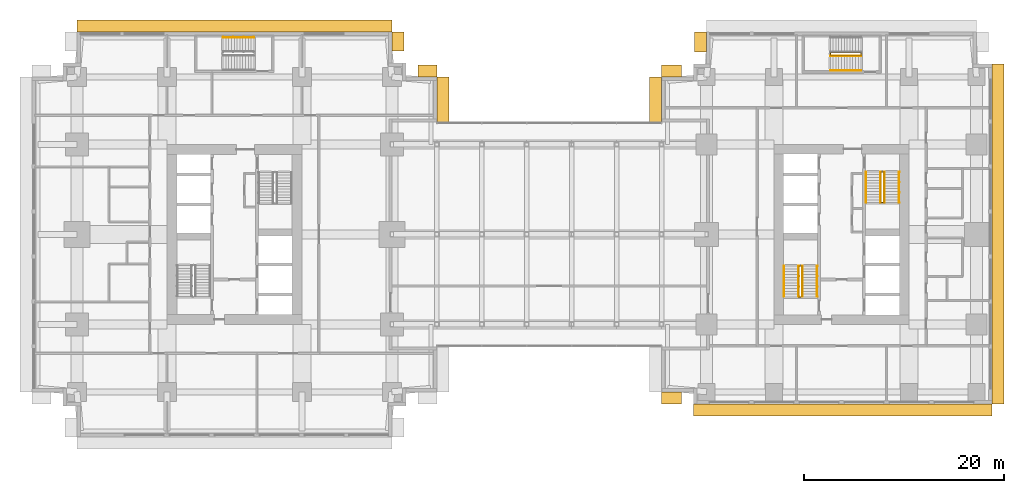
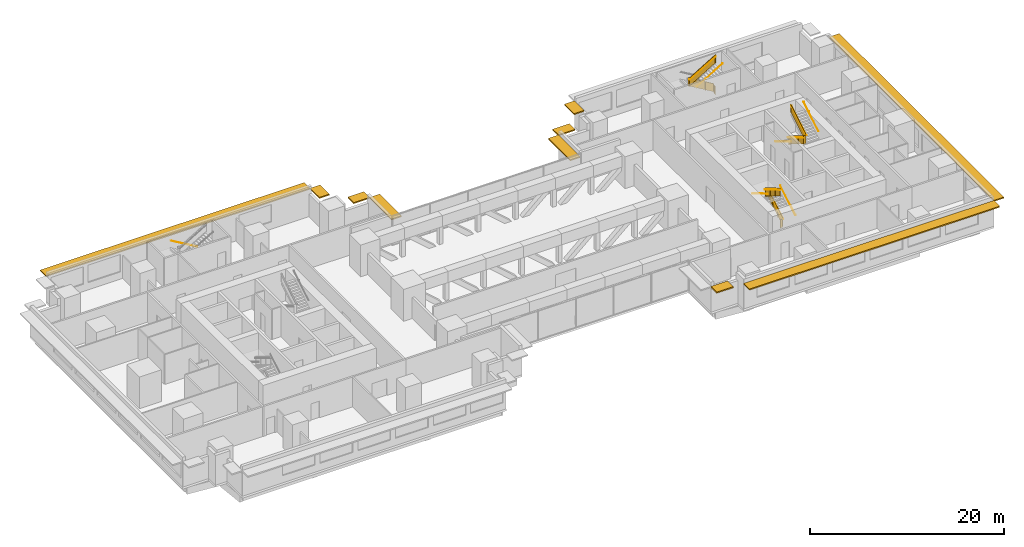
# One storey, part 14 of 15: 14 railings, 10 shading devices.
"""IFC4 building model written with IfcOpenShell, lengths in metres."""

from ifc_helpers import new_model, si_unit, direction, frame, origin, origin_2d, place, context, subcontext, project, spatial, polyline, rectangle, circle, outline, extrude, material, layer, layer_set, type_object, element, save


model = new_model("IFC4")

# Units and contexts
model_context = context("Model", 3, precision=1e-05, world=origin(), true_north=direction((0.0, 1.0)))
body_context = subcontext(model_context, "Body", "Model", "MODEL_VIEW")
ifc_project = project(units=[si_unit("LENGTHUNIT", "METRE"), si_unit("AREAUNIT", "SQUARE_METRE"), si_unit("VOLUMEUNIT", "CUBIC_METRE"), si_unit("PLANEANGLEUNIT", "RADIAN"), si_unit("MASSUNIT", "GRAM", prefix="KILO")], contexts=[model_context])

# Site, building, storey
site_placement = place(None, origin())
site = spatial("IfcSite", under=ifc_project, at=site_placement, CompositionType="ELEMENT")
building_placement = place(site_placement, origin())
building = spatial("IfcBuilding", under=site, at=building_placement, Name="Namib Vertical Campus", CompositionType="ELEMENT")
storey_placement = place(building_placement, frame((0.0, 0.0, 105.0)))
storey = spatial("IfcBuildingStorey", under=building, at=storey_placement, Name="L24", CompositionType="ELEMENT", Elevation=105.0)

# Railings
ifc_material_1 = material(Name="Steel handrail", Category="steel")
railing_type_1 = type_object("IfcRailingType", Name="Handrail 900", PredefinedType="HANDRAIL", material=ifc_material_1)
railing_1_placement = place(storey_placement, frame((78.550048828125, 14.0, 0.166748046875)))
element("IfcRailing", 1, at=railing_1_placement, inside=storey, type_object=railing_type_1, Name="Handrail HR1 B-S1 L24 1", PredefinedType="HANDRAIL", context=body_context, shape_type="SweptSolid", body=[
    extrude(circle(Radius=0.02392578125, at=origin_2d()), frame((0.0, 0.0, 0.8759765625), z_axis=(0.0, 0.859308565015, 0.511457515432), x_axis=(-1.0, 0.0, 0.0)), (0.0, 0.0, 1.0), 3.58447265625),
    extrude(circle(Radius=0.008056640625, at=origin_2d()), frame((0.0, 0.0, 0.8759765625), z_axis=(1.0, 0.0, 0.0), x_axis=(0.0, 0.0, 1.0)), (0.0, 0.0, 1.0), 0.050048828125),
    extrude(circle(Radius=0.008056640625, at=origin_2d()), frame((0.0, 1.026611328125, 1.48681640625), z_axis=(1.0, 0.0, 0.0), x_axis=(0.0, 0.0, 1.0)), (0.0, 0.0, 1.0), 0.050048828125),
    extrude(circle(Radius=0.008056640625, at=origin_2d()), frame((0.0, 2.053466796875, 2.09814453125), z_axis=(1.0, 0.0, 0.0), x_axis=(0.0, 0.0, 1.0)), (0.0, 0.0, 1.0), 0.050048828125),
    extrude(circle(Radius=0.008056640625, at=origin_2d()), frame((0.0, 3.080078125, 2.708984375), z_axis=(1.0, 0.0, 0.0), x_axis=(0.0, 0.0, 1.0)), (0.0, 0.0, 1.0), 0.050048828125),
])
railing_2_placement = place(storey_placement, frame((75.25, 17.080078125, 2.166748046875)))
element("IfcRailing", 2, at=railing_2_placement, inside=storey, type_object=railing_type_1, Name="Handrail HR1 B-S1 L24 2", PredefinedType="HANDRAIL", context=body_context, shape_type="SweptSolid", body=[
    extrude(circle(Radius=0.02392578125, at=origin_2d()), frame((0.0, 0.0, 0.8759765625), z_axis=(0.0, -0.859308565015, 0.511457515432), x_axis=(1.0, 0.0, 0.0)), (0.0, 0.0, 1.0), 3.58447265625),
    extrude(circle(Radius=0.008056640625, at=origin_2d()), frame((0.0, 0.0, 0.8759765625), z_axis=(-1.0, 0.0, 0.0), x_axis=(0.0, 0.0, 1.0)), (0.0, 0.0, 1.0), 0.050048828125),
    extrude(circle(Radius=0.008056640625, at=origin_2d()), frame((0.0, -1.026611328125, 1.48681640625), z_axis=(-1.0, 0.0, 0.0), x_axis=(0.0, 0.0, 1.0)), (0.0, 0.0, 1.0), 0.050048828125),
    extrude(circle(Radius=0.008056640625, at=origin_2d()), frame((0.0, -2.053466796875, 2.09814453125), z_axis=(-1.0, 0.0, 0.0), x_axis=(0.0, 0.0, 1.0)), (0.0, 0.0, 1.0), 0.050048828125),
    extrude(circle(Radius=0.008056640625, at=origin_2d()), frame((0.0, -3.080078125, 2.708984375), z_axis=(-1.0, 0.0, 0.0), x_axis=(0.0, 0.0, 1.0)), (0.0, 0.0, 1.0), 0.050048828125),
])
railing_3_placement = place(storey_placement, frame((77.10009765625, 14.0, 0.166748046875)))
element("IfcRailing", 3, at=railing_3_placement, inside=storey, type_object=railing_type_1, Name="Handrail HR1 B-S1 L24 1 at the well", PredefinedType="HANDRAIL", context=body_context, shape_type="SweptSolid", body=[
    extrude(circle(Radius=0.02392578125, at=origin_2d()), frame((0.0, 0.0, 0.8759765625), z_axis=(0.0, 0.859308565015, 0.511457515432), x_axis=(-1.0, 0.0, 0.0)), (0.0, 0.0, 1.0), 3.58447265625),
    extrude(circle(Radius=0.008056640625, at=origin_2d()), frame((0.0, 0.0, 0.8759765625), z_axis=(-1.0, 0.0, 0.0), x_axis=(0.0, 0.0, 1.0)), (0.0, 0.0, 1.0), 0.0400390625),
    extrude(circle(Radius=0.008056640625, at=origin_2d()), frame((0.0, 1.026611328125, 1.48681640625), z_axis=(-1.0, 0.0, 0.0), x_axis=(0.0, 0.0, 1.0)), (0.0, 0.0, 1.0), 0.0400390625),
    extrude(circle(Radius=0.008056640625, at=origin_2d()), frame((0.0, 2.053466796875, 2.09814453125), z_axis=(-1.0, 0.0, 0.0), x_axis=(0.0, 0.0, 1.0)), (0.0, 0.0, 1.0), 0.0400390625),
    extrude(circle(Radius=0.008056640625, at=origin_2d()), frame((0.0, 3.080078125, 2.708984375), z_axis=(-1.0, 0.0, 0.0), x_axis=(0.0, 0.0, 1.0)), (0.0, 0.0, 1.0), 0.0400390625),
])
railing_4_placement = place(storey_placement, frame((76.699951171875, 17.080078125, 2.166748046875)))
element("IfcRailing", 4, at=railing_4_placement, inside=storey, type_object=railing_type_1, Name="Handrail HR1 B-S1 L24 2 at the well", PredefinedType="HANDRAIL", context=body_context, shape_type="SweptSolid", body=[
    extrude(circle(Radius=0.02392578125, at=origin_2d()), frame((0.0, 0.0, 0.8759765625), z_axis=(0.0, -0.859308565015, 0.511457515432), x_axis=(1.0, 0.0, 0.0)), (0.0, 0.0, 1.0), 3.58447265625),
    extrude(circle(Radius=0.008056640625, at=origin_2d()), frame((0.0, 0.0, 0.8759765625), z_axis=(1.0, 0.0, 0.0), x_axis=(0.0, 0.0, 1.0)), (0.0, 0.0, 1.0), 0.0400390625),
    extrude(circle(Radius=0.008056640625, at=origin_2d()), frame((0.0, -1.026611328125, 1.48681640625), z_axis=(1.0, 0.0, 0.0), x_axis=(0.0, 0.0, 1.0)), (0.0, 0.0, 1.0), 0.0400390625),
    extrude(circle(Radius=0.008056640625, at=origin_2d()), frame((0.0, -2.053466796875, 2.09814453125), z_axis=(1.0, 0.0, 0.0), x_axis=(0.0, 0.0, 1.0)), (0.0, 0.0, 1.0), 0.0400390625),
    extrude(circle(Radius=0.008056640625, at=origin_2d()), frame((0.0, -3.080078125, 2.708984375), z_axis=(1.0, 0.0, 0.0), x_axis=(0.0, 0.0, 1.0)), (0.0, 0.0, 1.0), 0.0400390625),
])
railing_5_placement = place(storey_placement, frame((83.449951171875, 26.5, 0.166748046875)))
element("IfcRailing", 5, at=railing_5_placement, inside=storey, type_object=railing_type_1, Name="Handrail HR1 B-S2 L24 1", PredefinedType="HANDRAIL", context=body_context, shape_type="SweptSolid", body=[
    extrude(circle(Radius=0.02392578125, at=origin_2d()), frame((0.0, 0.0, 0.8759765625), z_axis=(0.0, -0.859308565015, 0.511457515432), x_axis=(1.0, 0.0, 0.0)), (0.0, 0.0, 1.0), 3.58447265625),
    extrude(circle(Radius=0.008056640625, at=origin_2d()), frame((0.0, 0.0, 0.8759765625), z_axis=(-1.0, 0.0, 0.0), x_axis=(0.0, 0.0, 1.0)), (0.0, 0.0, 1.0), 0.050048828125),
    extrude(circle(Radius=0.008056640625, at=origin_2d()), frame((0.0, -1.026611328125, 1.48681640625), z_axis=(-1.0, 0.0, 0.0), x_axis=(0.0, 0.0, 1.0)), (0.0, 0.0, 1.0), 0.050048828125),
    extrude(circle(Radius=0.008056640625, at=origin_2d()), frame((0.0, -2.053466796875, 2.09814453125), z_axis=(-1.0, 0.0, 0.0), x_axis=(0.0, 0.0, 1.0)), (0.0, 0.0, 1.0), 0.050048828125),
    extrude(circle(Radius=0.008056640625, at=origin_2d()), frame((0.0, -3.080078125, 2.708984375), z_axis=(-1.0, 0.0, 0.0), x_axis=(0.0, 0.0, 1.0)), (0.0, 0.0, 1.0), 0.050048828125),
])
railing_6_placement = place(storey_placement, frame((86.75, 23.419921875, 2.166748046875)))
element("IfcRailing", 6, at=railing_6_placement, inside=storey, type_object=railing_type_1, Name="Handrail HR1 B-S2 L24 2", PredefinedType="HANDRAIL", context=body_context, shape_type="SweptSolid", body=[
    extrude(circle(Radius=0.02392578125, at=origin_2d()), frame((0.0, 0.0, 0.8759765625), z_axis=(0.0, 0.859308565015, 0.511457515432), x_axis=(-1.0, 0.0, 0.0)), (0.0, 0.0, 1.0), 3.58447265625),
    extrude(circle(Radius=0.008056640625, at=origin_2d()), frame((0.0, 0.0, 0.8759765625), z_axis=(1.0, 0.0, 0.0), x_axis=(0.0, 0.0, 1.0)), (0.0, 0.0, 1.0), 0.050048828125),
    extrude(circle(Radius=0.008056640625, at=origin_2d()), frame((0.0, 1.026611328125, 1.48681640625), z_axis=(1.0, 0.0, 0.0), x_axis=(0.0, 0.0, 1.0)), (0.0, 0.0, 1.0), 0.050048828125),
    extrude(circle(Radius=0.008056640625, at=origin_2d()), frame((0.0, 2.053466796875, 2.09814453125), z_axis=(1.0, 0.0, 0.0), x_axis=(0.0, 0.0, 1.0)), (0.0, 0.0, 1.0), 0.050048828125),
    extrude(circle(Radius=0.008056640625, at=origin_2d()), frame((0.0, 3.080078125, 2.708984375), z_axis=(1.0, 0.0, 0.0), x_axis=(0.0, 0.0, 1.0)), (0.0, 0.0, 1.0), 0.050048828125),
])
railing_7_placement = place(storey_placement, frame((84.89990234375, 26.5, 0.166748046875)))
element("IfcRailing", 7, at=railing_7_placement, inside=storey, type_object=railing_type_1, Name="Handrail HR1 B-S2 L24 1 at the well", PredefinedType="HANDRAIL", context=body_context, shape_type="SweptSolid", body=[
    extrude(circle(Radius=0.02392578125, at=origin_2d()), frame((0.0, 0.0, 0.8759765625), z_axis=(0.0, -0.859308565015, 0.511457515432), x_axis=(1.0, 0.0, 0.0)), (0.0, 0.0, 1.0), 3.58447265625),
    extrude(circle(Radius=0.008056640625, at=origin_2d()), frame((0.0, 0.0, 0.8759765625), z_axis=(1.0, 0.0, 0.0), x_axis=(0.0, 0.0, 1.0)), (0.0, 0.0, 1.0), 0.0400390625),
    extrude(circle(Radius=0.008056640625, at=origin_2d()), frame((0.0, -1.026611328125, 1.48681640625), z_axis=(1.0, 0.0, 0.0), x_axis=(0.0, 0.0, 1.0)), (0.0, 0.0, 1.0), 0.0400390625),
    extrude(circle(Radius=0.008056640625, at=origin_2d()), frame((0.0, -2.053466796875, 2.09814453125), z_axis=(1.0, 0.0, 0.0), x_axis=(0.0, 0.0, 1.0)), (0.0, 0.0, 1.0), 0.0400390625),
    extrude(circle(Radius=0.008056640625, at=origin_2d()), frame((0.0, -3.080078125, 2.708984375), z_axis=(1.0, 0.0, 0.0), x_axis=(0.0, 0.0, 1.0)), (0.0, 0.0, 1.0), 0.0400390625),
])
railing_8_placement = place(storey_placement, frame((85.300048828125, 23.419921875, 2.166748046875)))
element("IfcRailing", 8, at=railing_8_placement, inside=storey, type_object=railing_type_1, Name="Handrail HR1 B-S2 L24 2 at the well", PredefinedType="HANDRAIL", context=body_context, shape_type="SweptSolid", body=[
    extrude(circle(Radius=0.02392578125, at=origin_2d()), frame((0.0, 0.0, 0.8759765625), z_axis=(0.0, 0.859308565015, 0.511457515432), x_axis=(-1.0, 0.0, 0.0)), (0.0, 0.0, 1.0), 3.58447265625),
    extrude(circle(Radius=0.008056640625, at=origin_2d()), frame((0.0, 0.0, 0.8759765625), z_axis=(-1.0, 0.0, 0.0), x_axis=(0.0, 0.0, 1.0)), (0.0, 0.0, 1.0), 0.0400390625),
    extrude(circle(Radius=0.008056640625, at=origin_2d()), frame((0.0, 1.026611328125, 1.48681640625), z_axis=(-1.0, 0.0, 0.0), x_axis=(0.0, 0.0, 1.0)), (0.0, 0.0, 1.0), 0.0400390625),
    extrude(circle(Radius=0.008056640625, at=origin_2d()), frame((0.0, 2.053466796875, 2.09814453125), z_axis=(-1.0, 0.0, 0.0), x_axis=(0.0, 0.0, 1.0)), (0.0, 0.0, 1.0), 0.0400390625),
    extrude(circle(Radius=0.008056640625, at=origin_2d()), frame((0.0, 3.080078125, 2.708984375), z_axis=(-1.0, 0.0, 0.0), x_axis=(0.0, 0.0, 1.0)), (0.0, 0.0, 1.0), 0.0400390625),
])
railing_9_placement = place(storey_placement, frame((22.199951171875, 39.949951171875, 0.166748046875)))
element("IfcRailing", 9, at=railing_9_placement, inside=storey, type_object=railing_type_1, Name="Handrail HR1 A-S3 L24 1", PredefinedType="HANDRAIL", context=body_context, shape_type="SweptSolid", body=[
    extrude(circle(Radius=0.02392578125, at=origin_2d()), frame((0.0, 0.0, 0.8759765625), z_axis=(-0.859290745958, 0.0, 0.51148745235), x_axis=(0.0, -1.0, 0.0)), (0.0, 0.0, 1.0), 3.584228515625),
    extrude(circle(Radius=0.008056640625, at=origin_2d()), frame((0.0, 0.0, 0.8759765625), z_axis=(0.0, 1.0, 0.0), x_axis=(0.0, 0.0, 1.0)), (0.0, 0.0, 1.0), 0.050048828125),
    extrude(circle(Radius=0.008056640625, at=origin_2d()), frame((-1.026611328125, 0.0, 1.48681640625), z_axis=(0.0, 1.0, 0.0), x_axis=(0.0, 0.0, 1.0)), (0.0, 0.0, 1.0), 0.050048828125),
    extrude(circle(Radius=0.008056640625, at=origin_2d()), frame((-2.05322265625, 0.0, 2.09814453125), z_axis=(0.0, 1.0, 0.0), x_axis=(0.0, 0.0, 1.0)), (0.0, 0.0, 1.0), 0.050048828125),
    extrude(circle(Radius=0.008056640625, at=origin_2d()), frame((-3.079833984375, 0.0, 2.708984375), z_axis=(0.0, 1.0, 0.0), x_axis=(0.0, 0.0, 1.0)), (0.0, 0.0, 1.0), 0.050048828125),
])
railing_10_placement = place(storey_placement, frame((79.8701171875, 36.64990234375, 2.166748046875)))
element("IfcRailing", 10, at=railing_10_placement, inside=storey, type_object=railing_type_1, Name="Handrail HR1 B-S3 L24 2", PredefinedType="HANDRAIL", context=body_context, shape_type="SweptSolid", body=[
    extrude(circle(Radius=0.02392578125, at=origin_2d()), frame((0.0, 0.0, 0.8759765625), z_axis=(0.859290745958, 0.0, 0.51148745235), x_axis=(0.0, 1.0, 0.0)), (0.0, 0.0, 1.0), 3.584228515625),
    extrude(circle(Radius=0.008056640625, at=origin_2d()), frame((0.0, 0.0, 0.8759765625), z_axis=(0.0, -1.0, 0.0), x_axis=(0.0, 0.0, 1.0)), (0.0, 0.0, 1.0), 0.050048828125),
    extrude(circle(Radius=0.008056640625, at=origin_2d()), frame((1.026611328125, 0.0, 1.48681640625), z_axis=(0.0, -1.0, 0.0), x_axis=(0.0, 0.0, 1.0)), (0.0, 0.0, 1.0), 0.050048828125),
    extrude(circle(Radius=0.008056640625, at=origin_2d()), frame((2.05322265625, 0.0, 2.09814453125), z_axis=(0.0, -1.0, 0.0), x_axis=(0.0, 0.0, 1.0)), (0.0, 0.0, 1.0), 0.050048828125),
    extrude(circle(Radius=0.008056640625, at=origin_2d()), frame((3.079833984375, 0.0, 2.708984375), z_axis=(0.0, -1.0, 0.0), x_axis=(0.0, 0.0, 1.0)), (0.0, 0.0, 1.0), 0.050048828125),
])
railing_11_placement = place(storey_placement, frame((79.8701171875, 38.10009765625, 2.166748046875)))
element("IfcRailing", 11, at=railing_11_placement, inside=storey, type_object=railing_type_1, Name="Handrail HR1 B-S3 L24 2 at the well", PredefinedType="HANDRAIL", context=body_context, shape_type="SweptSolid", body=[
    extrude(circle(Radius=0.02392578125, at=origin_2d()), frame((0.0, 0.0, 0.8759765625), z_axis=(0.859290745958, 0.0, 0.51148745235), x_axis=(0.0, 1.0, 0.0)), (0.0, 0.0, 1.0), 3.584228515625),
    extrude(circle(Radius=0.008056640625, at=origin_2d()), frame((0.0, 0.0, 0.8759765625), z_axis=(0.0, 1.0, 0.0), x_axis=(0.0, 0.0, 1.0)), (0.0, 0.0, 1.0), 0.0400390625),
    extrude(circle(Radius=0.008056640625, at=origin_2d()), frame((1.026611328125, 0.0, 1.48681640625), z_axis=(0.0, 1.0, 0.0), x_axis=(0.0, 0.0, 1.0)), (0.0, 0.0, 1.0), 0.0400390625),
    extrude(circle(Radius=0.008056640625, at=origin_2d()), frame((2.05322265625, 0.0, 2.09814453125), z_axis=(0.0, 1.0, 0.0), x_axis=(0.0, 0.0, 1.0)), (0.0, 0.0, 1.0), 0.0400390625),
    extrude(circle(Radius=0.008056640625, at=origin_2d()), frame((3.079833984375, 0.0, 2.708984375), z_axis=(0.0, 1.0, 0.0), x_axis=(0.0, 0.0, 1.0)), (0.0, 0.0, 1.0), 0.0400390625),
])
ifc_material_2 = material(Name="Steel balustrade", Category="steel")
railing_type_2 = type_object("IfcRailingType", Name="Stair guard 1100", PredefinedType="GUARDRAIL", material=ifc_material_2)
railing_12_placement = place(storey_placement, frame((76.75, 14.0, 0.0)))
element("IfcRailing", 12, at=railing_12_placement, inside=storey, type_object=railing_type_2, Name="Stair guard GR1 B-S1 L24", PredefinedType="GUARDRAIL", context=body_context, shape_type="SweptSolid", body=[
    extrude(circle(Radius=0.02392578125, at=origin_2d()), frame((0.0, 0.0, 1.076171875), z_axis=(1.0, 0.0, 0.0), x_axis=(0.0, 1.0, 0.0)), (0.0, 0.0, 1.0), 0.300048828125),
    extrude(outline(polyline([(0.02099609375, 0.050048828125), (0.279052734375, 0.050048828125), (0.279052734375, 1.052001953125), (0.02099609375, 1.052001953125), (0.02099609375, 0.050048828125)])), frame((0.0, 0.010009765625, 0.0), z_axis=(0.0, -1.0, 0.0), x_axis=(1.0, 0.0, 0.0)), (0.0, 0.0, 1.0), 0.02001953125),
    extrude(circle(Radius=0.02392578125, at=origin_2d()), frame((0.300048828125, 0.0, 1.076171875), z_axis=(0.0, 0.0, 1.0), x_axis=(1.0, 0.0, 0.0)), (0.0, 0.0, 1.0), 0.166748046875),
    extrude(circle(Radius=0.02392578125, at=origin_2d()), frame((0.300048828125, 0.0, 1.24267578125), z_axis=(0.0, 0.859308565015, 0.511457515432), x_axis=(-1.0, 0.0, 0.0)), (0.0, 0.0, 1.0), 3.58447265625),
    extrude(outline(polyline([(0.02099609375, 0.0625), (3.05908203125, 1.870849609375), (3.05908203125, 2.872802734375), (0.02099609375, 1.064453125), (0.02099609375, 0.0625)])), frame((0.2900390625, 0.0, 0.166748046875), z_axis=(1.0, 0.0, 0.0), x_axis=(0.0, 1.0, 0.0)), (0.0, 0.0, 1.0), 0.02001953125),
    extrude(circle(Radius=0.02392578125, at=origin_2d()), frame((0.300048828125, 3.080078125, 3.076171875), z_axis=(-1.0, 0.0, 0.0), x_axis=(0.0, -1.0, 0.0)), (0.0, 0.0, 1.0), 0.300048828125),
    extrude(outline(polyline([(0.02099609375, 0.050048828125), (0.279052734375, 0.050048828125), (0.279052734375, 1.052001953125), (0.02099609375, 1.052001953125), (0.02099609375, 0.050048828125)])), frame((0.300048828125, 3.070068359375, 2.0), z_axis=(0.0, 1.0, 0.0), x_axis=(-1.0, 0.0, 0.0)), (0.0, 0.0, 1.0), 0.02001953125),
    extrude(circle(Radius=0.02392578125, at=origin_2d()), frame((0.0, 3.080078125, 3.076171875), z_axis=(0.0, 0.0, 1.0), x_axis=(1.0, 0.0, 0.0)), (0.0, 0.0, 1.0), 0.166748046875),
    extrude(circle(Radius=0.02392578125, at=origin_2d()), frame((0.0, 3.080078125, 3.24267578125), z_axis=(0.0, -0.859308565015, 0.511457515432), x_axis=(1.0, 0.0, 0.0)), (0.0, 0.0, 1.0), 3.58447265625),
    extrude(outline(polyline([(0.02099609375, 0.0625), (3.05908203125, 1.870849609375), (3.05908203125, 2.872802734375), (0.02099609375, 1.064453125), (0.02099609375, 0.0625)])), frame((0.010009765625, 3.080078125, 2.166748046875), z_axis=(-1.0, 0.0, 0.0), x_axis=(0.0, -1.0, 0.0)), (0.0, 0.0, 1.0), 0.02001953125),
    extrude(circle(Radius=0.02392578125, at=origin_2d()), frame((0.0, 0.0, 5.076171875), z_axis=(0.0, -1.0, 0.0), x_axis=(1.0, 0.0, 0.0)), (0.0, 0.0, 1.0), 0.050048828125),
    extrude(outline(polyline([(0.02099609375, 0.050048828125), (0.029052734375, 0.050048828125), (0.029052734375, 1.052001953125), (0.02099609375, 1.052001953125), (0.02099609375, 0.050048828125)])), frame((0.010009765625, 0.0, 4.0), z_axis=(-1.0, 0.0, 0.0), x_axis=(0.0, -1.0, 0.0)), (0.0, 0.0, 1.0), 0.02001953125),
    extrude(circle(Radius=0.02099609375, at=origin_2d()), origin(), (0.0, 0.0, 1.0), 1.052001953125),
    extrude(circle(Radius=0.02099609375, at=origin_2d()), frame((0.300048828125, 0.0, 0.166748046875)), (0.0, 0.0, 1.0), 1.052001953125),
    extrude(circle(Radius=0.02099609375, at=origin_2d()), frame((0.300048828125, 1.026611328125, 0.666748046875)), (0.0, 0.0, 1.0), 1.1630859375),
    extrude(circle(Radius=0.02099609375, at=origin_2d()), frame((0.300048828125, 2.053466796875, 1.33349609375)), (0.0, 0.0, 1.0), 1.107421875),
    extrude(circle(Radius=0.02099609375, at=origin_2d()), frame((0.300048828125, 3.080078125, 2.0)), (0.0, 0.0, 1.0), 1.052001953125),
    extrude(circle(Radius=0.02099609375, at=origin_2d()), frame((0.0, 3.080078125, 2.166748046875)), (0.0, 0.0, 1.0), 1.052001953125),
    extrude(circle(Radius=0.02099609375, at=origin_2d()), frame((0.0, 2.053466796875, 2.666748046875)), (0.0, 0.0, 1.0), 1.1630859375),
    extrude(circle(Radius=0.02099609375, at=origin_2d()), frame((0.0, 1.026611328125, 3.33349609375)), (0.0, 0.0, 1.0), 1.107421875),
    extrude(circle(Radius=0.02099609375, at=origin_2d()), frame((0.0, 0.0, 4.0)), (0.0, 0.0, 1.0), 1.052001953125),
    extrude(circle(Radius=0.02099609375, at=origin_2d()), frame((0.0, -0.050048828125, 4.0)), (0.0, 0.0, 1.0), 1.052001953125),
])
railing_13_placement = place(storey_placement, frame((85.25, 26.5, 0.0)))
element("IfcRailing", 13, at=railing_13_placement, inside=storey, type_object=railing_type_2, Name="Stair guard GR1 B-S2 L24", PredefinedType="GUARDRAIL", context=body_context, shape_type="SweptSolid", body=[
    extrude(circle(Radius=0.02392578125, at=origin_2d()), frame((0.0, 0.0, 1.076171875), z_axis=(-1.0, 0.0, 0.0), x_axis=(0.0, -1.0, 0.0)), (0.0, 0.0, 1.0), 0.300048828125),
    extrude(outline(polyline([(0.02099609375, 0.050048828125), (0.279052734375, 0.050048828125), (0.279052734375, 1.052001953125), (0.02099609375, 1.052001953125), (0.02099609375, 0.050048828125)])), frame((0.0, -0.010009765625, 0.0), z_axis=(0.0, 1.0, 0.0), x_axis=(-1.0, 0.0, 0.0)), (0.0, 0.0, 1.0), 0.02001953125),
    extrude(circle(Radius=0.02392578125, at=origin_2d()), frame((-0.300048828125, 0.0, 1.076171875), z_axis=(0.0, 0.0, 1.0), x_axis=(1.0, 0.0, 0.0)), (0.0, 0.0, 1.0), 0.166748046875),
    extrude(circle(Radius=0.02392578125, at=origin_2d()), frame((-0.300048828125, 0.0, 1.24267578125), z_axis=(0.0, -0.859308565015, 0.511457515432), x_axis=(1.0, 0.0, 0.0)), (0.0, 0.0, 1.0), 3.58447265625),
    extrude(outline(polyline([(0.02099609375, 0.0625), (3.05908203125, 1.870849609375), (3.05908203125, 2.872802734375), (0.02099609375, 1.064453125), (0.02099609375, 0.0625)])), frame((-0.2900390625, 0.0, 0.166748046875), z_axis=(-1.0, 0.0, 0.0), x_axis=(0.0, -1.0, 0.0)), (0.0, 0.0, 1.0), 0.02001953125),
    extrude(circle(Radius=0.02392578125, at=origin_2d()), frame((-0.300048828125, -3.080078125, 3.076171875), z_axis=(1.0, 0.0, 0.0), x_axis=(0.0, 1.0, 0.0)), (0.0, 0.0, 1.0), 0.300048828125),
    extrude(outline(polyline([(0.02099609375, 0.050048828125), (0.279052734375, 0.050048828125), (0.279052734375, 1.052001953125), (0.02099609375, 1.052001953125), (0.02099609375, 0.050048828125)])), frame((-0.300048828125, -3.070068359375, 2.0), z_axis=(0.0, -1.0, 0.0), x_axis=(1.0, 0.0, 0.0)), (0.0, 0.0, 1.0), 0.02001953125),
    extrude(circle(Radius=0.02392578125, at=origin_2d()), frame((0.0, -3.080078125, 3.076171875), z_axis=(0.0, 0.0, 1.0), x_axis=(1.0, 0.0, 0.0)), (0.0, 0.0, 1.0), 0.166748046875),
    extrude(circle(Radius=0.02392578125, at=origin_2d()), frame((0.0, -3.080078125, 3.24267578125), z_axis=(0.0, 0.859308565015, 0.511457515432), x_axis=(-1.0, 0.0, 0.0)), (0.0, 0.0, 1.0), 3.58447265625),
    extrude(outline(polyline([(0.02099609375, 0.0625), (3.05908203125, 1.870849609375), (3.05908203125, 2.872802734375), (0.02099609375, 1.064453125), (0.02099609375, 0.0625)])), frame((-0.010009765625, -3.080078125, 2.166748046875), z_axis=(1.0, 0.0, 0.0), x_axis=(0.0, 1.0, 0.0)), (0.0, 0.0, 1.0), 0.02001953125),
    extrude(circle(Radius=0.02392578125, at=origin_2d()), frame((0.0, 0.0, 5.076171875), z_axis=(0.0, 1.0, 0.0), x_axis=(-1.0, 0.0, 0.0)), (0.0, 0.0, 1.0), 0.050048828125),
    extrude(outline(polyline([(0.02099609375, 0.050048828125), (0.029052734375, 0.050048828125), (0.029052734375, 1.052001953125), (0.02099609375, 1.052001953125), (0.02099609375, 0.050048828125)])), frame((-0.010009765625, 0.0, 4.0), z_axis=(1.0, 0.0, 0.0), x_axis=(0.0, 1.0, 0.0)), (0.0, 0.0, 1.0), 0.02001953125),
    extrude(circle(Radius=0.02099609375, at=origin_2d()), origin(), (0.0, 0.0, 1.0), 1.052001953125),
    extrude(circle(Radius=0.02099609375, at=origin_2d()), frame((-0.300048828125, 0.0, 0.166748046875)), (0.0, 0.0, 1.0), 1.052001953125),
    extrude(circle(Radius=0.02099609375, at=origin_2d()), frame((-0.300048828125, -1.026611328125, 0.666748046875)), (0.0, 0.0, 1.0), 1.1630859375),
    extrude(circle(Radius=0.02099609375, at=origin_2d()), frame((-0.300048828125, -2.053466796875, 1.33349609375)), (0.0, 0.0, 1.0), 1.107421875),
    extrude(circle(Radius=0.02099609375, at=origin_2d()), frame((-0.300048828125, -3.080078125, 2.0)), (0.0, 0.0, 1.0), 1.052001953125),
    extrude(circle(Radius=0.02099609375, at=origin_2d()), frame((0.0, -3.080078125, 2.166748046875)), (0.0, 0.0, 1.0), 1.052001953125),
    extrude(circle(Radius=0.02099609375, at=origin_2d()), frame((0.0, -2.053466796875, 2.666748046875)), (0.0, 0.0, 1.0), 1.1630859375),
    extrude(circle(Radius=0.02099609375, at=origin_2d()), frame((0.0, -1.026611328125, 3.33349609375)), (0.0, 0.0, 1.0), 1.107421875),
    extrude(circle(Radius=0.02099609375, at=origin_2d()), frame((0.0, 0.0, 4.0)), (0.0, 0.0, 1.0), 1.052001953125),
    extrude(circle(Radius=0.02099609375, at=origin_2d()), frame((0.0, 0.050048828125, 4.0)), (0.0, 0.0, 1.0), 1.052001953125),
])
railing_14_placement = place(storey_placement, frame((82.949951171875, 38.14990234375, 0.0)))
element("IfcRailing", 14, at=railing_14_placement, inside=storey, type_object=railing_type_2, Name="Stair guard GR1 B-S3 L24", PredefinedType="GUARDRAIL", context=body_context, shape_type="SweptSolid", body=[
    extrude(circle(Radius=0.02392578125, at=origin_2d()), frame((0.0, 0.0, 1.076171875), z_axis=(0.0, 1.0, 0.0), x_axis=(-1.0, 0.0, 0.0)), (0.0, 0.0, 1.0), 0.300048828125),
    extrude(outline(polyline([(0.02099609375, 0.050048828125), (0.279052734375, 0.050048828125), (0.279052734375, 1.052001953125), (0.02099609375, 1.052001953125), (0.02099609375, 0.050048828125)])), frame((-0.010009765625, 0.0, 0.0), z_axis=(1.0, 0.0, 0.0), x_axis=(0.0, 1.0, 0.0)), (0.0, 0.0, 1.0), 0.02001953125),
    extrude(circle(Radius=0.02392578125, at=origin_2d()), frame((0.0, 0.300048828125, 1.076171875), z_axis=(0.0, 0.0, 1.0), x_axis=(1.0, 0.0, 0.0)), (0.0, 0.0, 1.0), 0.166748046875),
    extrude(circle(Radius=0.02392578125, at=origin_2d()), frame((0.0, 0.300048828125, 1.24267578125), z_axis=(-0.859290745958, 0.0, 0.51148745235), x_axis=(0.0, -1.0, 0.0)), (0.0, 0.0, 1.0), 3.584228515625),
    extrude(outline(polyline([(0.02099609375, 0.0625), (3.058837890625, 1.870849609375), (3.058837890625, 2.872802734375), (0.02099609375, 1.064453125), (0.02099609375, 0.0625)])), frame((0.0, 0.2900390625, 0.166748046875), z_axis=(0.0, 1.0, 0.0), x_axis=(-1.0, 0.0, 0.0)), (0.0, 0.0, 1.0), 0.02001953125),
    extrude(circle(Radius=0.02392578125, at=origin_2d()), frame((-3.079833984375, 0.300048828125, 3.076171875), z_axis=(0.0, -1.0, 0.0), x_axis=(1.0, 0.0, 0.0)), (0.0, 0.0, 1.0), 0.300048828125),
    extrude(outline(polyline([(0.02099609375, 0.050048828125), (0.279052734375, 0.050048828125), (0.279052734375, 1.052001953125), (0.02099609375, 1.052001953125), (0.02099609375, 0.050048828125)])), frame((-3.06982421875, 0.300048828125, 2.0), z_axis=(-1.0, 0.0, 0.0), x_axis=(0.0, -1.0, 0.0)), (0.0, 0.0, 1.0), 0.02001953125),
    extrude(circle(Radius=0.02392578125, at=origin_2d()), frame((-3.079833984375, 0.0, 3.076171875), z_axis=(0.0, 0.0, 1.0), x_axis=(1.0, 0.0, 0.0)), (0.0, 0.0, 1.0), 0.166748046875),
    extrude(circle(Radius=0.02392578125, at=origin_2d()), frame((-3.079833984375, 0.0, 3.24267578125), z_axis=(0.859290745958, 0.0, 0.51148745235), x_axis=(0.0, 1.0, 0.0)), (0.0, 0.0, 1.0), 3.584228515625),
    extrude(outline(polyline([(0.02099609375, 0.0625), (3.058837890625, 1.870849609375), (3.058837890625, 2.872802734375), (0.02099609375, 1.064453125), (0.02099609375, 0.0625)])), frame((-3.079833984375, 0.010009765625, 2.166748046875), z_axis=(0.0, -1.0, 0.0), x_axis=(1.0, 0.0, 0.0)), (0.0, 0.0, 1.0), 0.02001953125),
    extrude(circle(Radius=0.02392578125, at=origin_2d()), frame((0.0, 0.0, 5.076171875), z_axis=(1.0, 0.0, 0.0), x_axis=(0.0, 1.0, 0.0)), (0.0, 0.0, 1.0), 0.050048828125),
    extrude(outline(polyline([(0.02099609375, 0.050048828125), (0.029052734375, 0.050048828125), (0.029052734375, 1.052001953125), (0.02099609375, 1.052001953125), (0.02099609375, 0.050048828125)])), frame((0.0, 0.010009765625, 4.0), z_axis=(0.0, -1.0, 0.0), x_axis=(1.0, 0.0, 0.0)), (0.0, 0.0, 1.0), 0.02001953125),
    extrude(circle(Radius=0.02099609375, at=origin_2d()), origin(), (0.0, 0.0, 1.0), 1.052001953125),
    extrude(circle(Radius=0.02099609375, at=origin_2d()), frame((0.0, 0.300048828125, 0.166748046875)), (0.0, 0.0, 1.0), 1.052001953125),
    extrude(circle(Radius=0.02099609375, at=origin_2d()), frame((-1.026611328125, 0.300048828125, 0.666748046875)), (0.0, 0.0, 1.0), 1.1630859375),
    extrude(circle(Radius=0.02099609375, at=origin_2d()), frame((-2.05322265625, 0.300048828125, 1.33349609375)), (0.0, 0.0, 1.0), 1.107421875),
    extrude(circle(Radius=0.02099609375, at=origin_2d()), frame((-3.079833984375, 0.300048828125, 2.0)), (0.0, 0.0, 1.0), 1.052001953125),
    extrude(circle(Radius=0.02099609375, at=origin_2d()), frame((-3.079833984375, 0.0, 2.166748046875)), (0.0, 0.0, 1.0), 1.052001953125),
    extrude(circle(Radius=0.02099609375, at=origin_2d()), frame((-2.05322265625, 0.0, 2.666748046875)), (0.0, 0.0, 1.0), 1.1630859375),
    extrude(circle(Radius=0.02099609375, at=origin_2d()), frame((-1.026611328125, 0.0, 3.33349609375)), (0.0, 0.0, 1.0), 1.107421875),
    extrude(circle(Radius=0.02099609375, at=origin_2d()), frame((0.0, 0.0, 4.0)), (0.0, 0.0, 1.0), 1.052001953125),
    extrude(circle(Radius=0.02099609375, at=origin_2d()), frame((0.050048828125, 0.0, 4.0)), (0.0, 0.0, 1.0), 1.052001953125),
])

# Shading devices
ifc_material_3 = material(Name="Concrete C40/50 precast", Category="concrete")
ifc_layer = layer(ifc_material_3, 0.14990234375)
ifc_layer_set = layer_set([ifc_layer], Name="Concrete C40/50 precast")
shading_device_type = type_object("IfcShadingDeviceType", Name="Sunshade hood 1200", PredefinedType="SHUTTER", material=ifc_layer_set)
shading_device_1_placement = place(storey_placement, frame((41.10009765625, 33.75, 3.10009765625), z_axis=(0.0, 0.0, 1.0), x_axis=(0.0, 1.0, 0.0)))
element("IfcShadingDevice", 15, at=shading_device_1_placement, inside=storey, type_object=shading_device_type, Name="Sunshade SH2 L24 11", PredefinedType="SHUTTER", context=body_context, shape_type="SweptSolid", body=[
    extrude(rectangle(XDim=4.5, YDim=1.199951171875, at=origin_2d()), origin(), (0.0, 0.0, 1.0), 0.14990234375),
])
for number, where, z_axis, x_axis, name in (
    (16, (39.550048828125, 36.60009765625, 3.10009765625), (0.0, 0.0, 1.0), (-1.0, 0.0, 0.0), "Sunshade SH2 L24 12"),
    (17, (36.60009765625, 39.550048828125, 3.10009765625), (0.0, 0.0, 1.0), (0.0, 1.0, 0.0), "Sunshade SH2 L24 15"),
):
    element("IfcShadingDevice", number, at=place(storey_placement, frame(where, z_axis=z_axis, x_axis=x_axis)), inside=storey, type_object=shading_device_type, Name=name, PredefinedType="SHUTTER", context=body_context, shape_type="SweptSolid", body=[
        extrude(rectangle(XDim=1.89990234375, YDim=1.199951171875, at=origin_2d()), origin(), (0.0, 0.0, 1.0), 0.14990234375),
    ])
shading_device_2_placement = place(storey_placement, frame((20.25, 41.10009765625, 3.10009765625), z_axis=(0.0, 0.0, 1.0), x_axis=(-1.0, 0.0, 0.0)))
element("IfcShadingDevice", 18, at=shading_device_2_placement, inside=storey, type_object=shading_device_type, Name="Sunshade SH2 L24 16", PredefinedType="SHUTTER", context=body_context, shape_type="SweptSolid", body=[
    extrude(rectangle(XDim=31.5, YDim=1.199951171875, at=origin_2d()), origin(), (0.0, 0.0, 1.0), 0.14990234375),
])
shading_device_3_placement = place(storey_placement, frame((64.0, 3.89990234375, 3.10009765625), z_axis=(0.0, 0.0, 1.0), x_axis=(1.0, 0.0, 0.0)))
element("IfcShadingDevice", 19, at=shading_device_3_placement, inside=storey, type_object=shading_device_type, Name="Sunshade SH2 L24 2", PredefinedType="SHUTTER", context=body_context, shape_type="SweptSolid", body=[
    extrude(rectangle(XDim=2.0, YDim=1.199951171875, at=origin_2d()), origin(), (0.0, 0.0, 1.0), 0.14990234375),
])
shading_device_4_placement = place(storey_placement, frame((81.125, 2.699951171875, 3.10009765625), z_axis=(0.0, 0.0, 1.0), x_axis=(1.0, 0.0, 0.0)))
element("IfcShadingDevice", 20, at=shading_device_4_placement, inside=storey, type_object=shading_device_type, Name="Sunshade SH2 L24 4", PredefinedType="SHUTTER", context=body_context, shape_type="SweptSolid", body=[
    extrude(rectangle(XDim=29.85009765625, YDim=1.199951171875, at=origin_2d()), origin(), (0.0, 0.0, 1.0), 0.14990234375),
])
shading_device_5_placement = place(storey_placement, frame((96.64990234375, 20.300048828125, 3.10009765625), z_axis=(0.0, 0.0, 1.0), x_axis=(0.0, 1.0, 0.0)))
element("IfcShadingDevice", 21, at=shading_device_5_placement, inside=storey, type_object=shading_device_type, Name="Sunshade SH2 L24 5", PredefinedType="SHUTTER", context=body_context, shape_type="SweptSolid", body=[
    extrude(rectangle(XDim=34.0, YDim=1.199951171875, at=origin_2d()), origin(), (0.0, 0.0, 1.0), 0.14990234375),
])
for number, where, z_axis, x_axis, name in (
    (22, (66.89990234375, 39.5, 3.10009765625), (0.0, 0.0, 1.0), (0.0, -1.0, 0.0), "Sunshade SH2 L24 9"),
    (23, (64.0, 36.60009765625, 3.10009765625), (0.0, 0.0, 1.0), (-1.0, 0.0, 0.0), "Sunshade SH2 L24 12"),
):
    element("IfcShadingDevice", number, at=place(storey_placement, frame(where, z_axis=z_axis, x_axis=x_axis)), inside=storey, type_object=shading_device_type, Name=name, PredefinedType="SHUTTER", context=body_context, shape_type="SweptSolid", body=[
        extrude(rectangle(XDim=2.0, YDim=1.199951171875, at=origin_2d()), origin(), (0.0, 0.0, 1.0), 0.14990234375),
    ])
shading_device_6_placement = place(storey_placement, frame((62.39990234375, 33.75, 3.10009765625), z_axis=(0.0, 0.0, 1.0), x_axis=(0.0, -1.0, 0.0)))
element("IfcShadingDevice", 24, at=shading_device_6_placement, inside=storey, type_object=shading_device_type, Name="Sunshade SH2 L24 13", PredefinedType="SHUTTER", context=body_context, shape_type="SweptSolid", body=[
    extrude(rectangle(XDim=4.5, YDim=1.199951171875, at=origin_2d()), origin(), (0.0, 0.0, 1.0), 0.14990234375),
])

save(model, "model.ifc")
